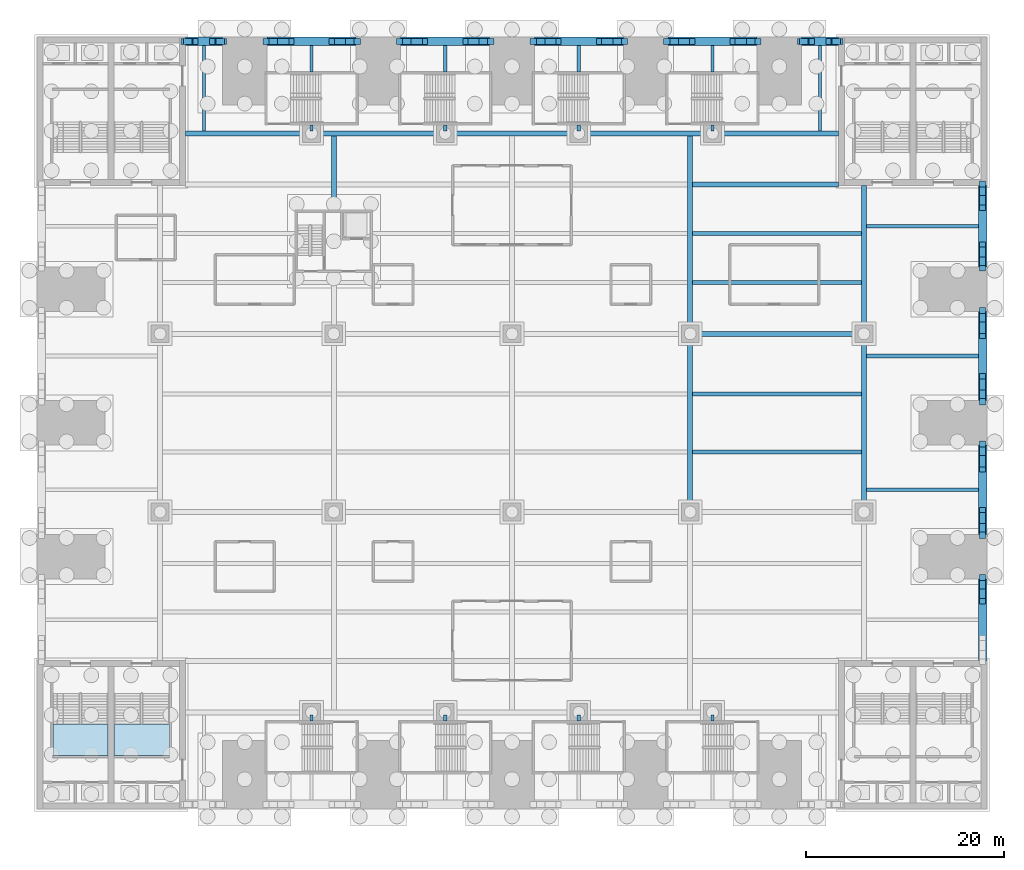
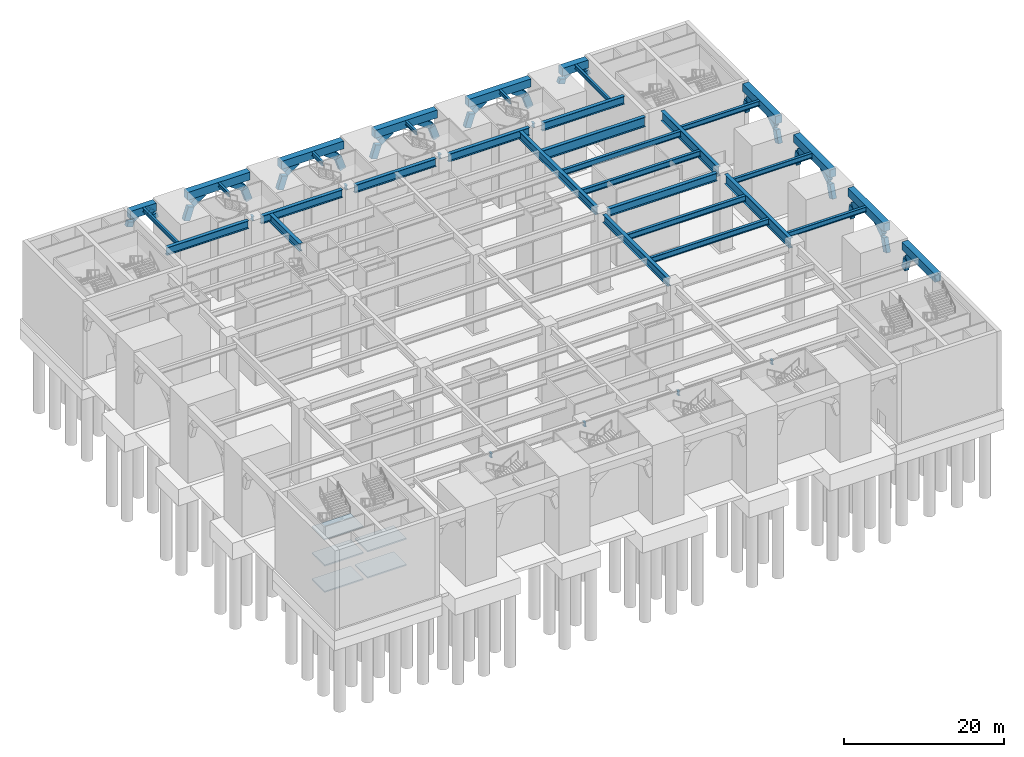
# One storey, part 4 of 34: 43 beams, 38 members, 5 slabs, 2 elements without a shape of their own.
"""IFC4 building model written with IfcOpenShell, lengths in metres."""

from ifc_helpers import new_model, si_unit, direction, frame, origin, origin_2d, place, context, subcontext, project, spatial, polyline, rectangle, i_section, outline, extrude, material, layer, layer_set, material_profile, profile_set, type_object, element, aggregate, save


model = new_model("IFC4")

# Units and contexts
model_context = context("Model", 3, precision=1e-05, world=origin(), true_north=direction((0.0, 1.0)))
body_context = subcontext(model_context, "Body", "Model", "MODEL_VIEW")
ifc_project = project(units=[si_unit("LENGTHUNIT", "METRE"), si_unit("AREAUNIT", "SQUARE_METRE"), si_unit("VOLUMEUNIT", "CUBIC_METRE"), si_unit("PLANEANGLEUNIT", "RADIAN"), si_unit("MASSUNIT", "GRAM", prefix="KILO")], contexts=[model_context])

# Site, building, storey
site_placement = place(None, origin())
site = spatial("IfcSite", under=ifc_project, at=site_placement, CompositionType="ELEMENT")
building_placement = place(site_placement, origin())
building = spatial("IfcBuilding", under=site, at=building_placement, Name="Corbelhall Arena Tower", CompositionType="ELEMENT")
storey_placement = place(building_placement, origin())
storey = spatial("IfcBuildingStorey", under=building, at=storey_placement, Name="L00", CompositionType="ELEMENT", Elevation=0.0)

# Beams
ifc_material_1 = material(Name="Steel ASTM A572 Gr50", Category="steel")
ifc_material_profile_1 = material_profile(ifc_material_1, i_section(OverallWidth=0.5, OverallDepth=1.5, WebThickness=0.028076171875, FlangeThickness=0.050048828125, at=origin_2d()))
ifc_profile_set_1 = profile_set([ifc_material_profile_1], Name="Steel ASTM A572 Gr50")
beam_type_1 = type_object("IfcBeamType", Name="AR-TRANSFER-GIRDER", PredefinedType="BEAM", material=ifc_profile_set_1)
beam_1_placement = place(storey_placement, frame((35.550048828125, -8.10009765625, 10.949951171875), z_axis=(0.0, 1.0, 0.0), x_axis=(-1.0, 0.0, 0.0)))
element("IfcBeam", 1, at=beam_1_placement, inside=storey, type_object=beam_type_1, Name="DECK GIRDER Y", PredefinedType="BEAM", context=body_context, shape_type="SweptSolid", body=[
    extrude(i_section(OverallWidth=0.5, OverallDepth=1.5, WebThickness=0.028076171875, FlangeThickness=0.050048828125, at=origin_2d()), origin(), (0.0, 0.0, 1.0), 16.2001953125),
])
beam_2_placement = place(storey_placement, frame((35.550048828125, 9.89990234375, 10.949951171875), z_axis=(0.0, 1.0, 0.0), x_axis=(-1.0, 0.0, 0.0)))
element("IfcBeam", 2, at=beam_2_placement, inside=storey, type_object=beam_type_1, Name="DECK GIRDER Y", PredefinedType="BEAM", context=body_context, shape_type="SweptSolid", body=[
    extrude(i_section(OverallWidth=0.5, OverallDepth=1.5, WebThickness=0.028076171875, FlangeThickness=0.050048828125, at=origin_2d()), origin(), (0.0, 0.0, 1.0), 14.10009765625),
])
beam_3_placement = place(storey_placement, frame((18.25, 24.0625, 10.949951171875), z_axis=(1.0, 0.0, 0.0), x_axis=(0.0, 1.0, 0.0)))
element("IfcBeam", 3, at=beam_3_placement, inside=storey, type_object=beam_type_1, Name="DECK BEAM", PredefinedType="BEAM", context=body_context, shape_type="SweptSolid", body=[
    extrude(i_section(OverallWidth=0.5, OverallDepth=1.5, WebThickness=0.028076171875, FlangeThickness=0.050048828125, at=origin_2d()), origin(), (0.0, 0.0, 1.0), 14.75),
])

# Members
ifc_material_2 = material(Name="Concrete C80/95", Category="concrete")
ifc_material_profile_2 = material_profile(ifc_material_2, rectangle(XDim=0.60009765625, YDim=0.89990234375, at=origin_2d()))
ifc_profile_set_2 = profile_set([ifc_material_profile_2], Name="Concrete C80/95")
member_type = type_object("IfcMemberType", Name="PO-ARCH-RIB", PredefinedType="MEMBER", material=ifc_profile_set_2)
member_1_placement = place(storey_placement, frame((-33.0, 38.550048828125, 9.2451171875), z_axis=(0.313142843289, 0.0, 0.94970603857), x_axis=(0.0, 1.0, 0.0)))
element("IfcMember", 4, at=member_1_placement, inside=storey, type_object=member_type, Name="ARCH N1 RIB A1", PredefinedType="MEMBER", context=body_context, shape_type="SweptSolid", body=[
    extrude(rectangle(XDim=0.60009765625, YDim=0.89990234375, at=origin_2d()), origin(), (0.0, 0.0, 1.0), 0.76025390625),
])
member_2_placement = place(storey_placement, frame((-32.59423828125, 38.550048828125, 10.193603515625), z_axis=(0.816629669741, 0.0, 0.577162007152), x_axis=(0.0, 1.0, 0.0)))
element("IfcMember", 5, at=member_2_placement, inside=storey, type_object=member_type, Name="ARCH N1 RIB A2", PredefinedType="MEMBER", context=body_context, shape_type="SweptSolid", body=[
    extrude(rectangle(XDim=0.60009765625, YDim=0.89990234375, at=origin_2d()), origin(), (0.0, 0.0, 1.0), 0.760498046875),
])
member_3_placement = place(storey_placement, frame((-29.488037109375, 38.550048828125, 9.967041015625), z_axis=(0.313142843289, 0.0, -0.94970603857), x_axis=(0.0, 1.0, 0.0)))
element("IfcMember", 6, at=member_3_placement, inside=storey, type_object=member_type, Name="ARCH N1 RIB B1", PredefinedType="MEMBER", context=body_context, shape_type="SweptSolid", body=[
    extrude(rectangle(XDim=0.60009765625, YDim=0.89990234375, at=origin_2d()), origin(), (0.0, 0.0, 1.0), 0.76025390625),
])
member_4_placement = place(storey_placement, frame((-30.27685546875, 38.550048828125, 10.632568359375), z_axis=(0.816629669741, 0.0, -0.577162007152), x_axis=(0.0, 1.0, 0.0)))
element("IfcMember", 7, at=member_4_placement, inside=storey, type_object=member_type, Name="ARCH N1 RIB B2", PredefinedType="MEMBER", context=body_context, shape_type="SweptSolid", body=[
    extrude(rectangle(XDim=0.60009765625, YDim=0.89990234375, at=origin_2d()), origin(), (0.0, 0.0, 1.0), 0.760498046875),
])
for number, where, z_axis, x_axis, name in (
    (8, (-24.75, 38.550048828125, 7.302490234375), (0.313127236353, 0.0, 0.949711184442), (0.0, 1.0, 0.0), "ARCH N2 RIB A1"),
    (9, (-23.94580078125, 38.550048828125, 9.45947265625), (0.816644846193, 0.0, 0.577140533307), (0.0, 1.0, 0.0), "ARCH N2 RIB A2"),
    (10, (-16.386474609375, 38.550048828125, 9.23291015625), (0.313127236353, 0.0, -0.949711184442), (0.0, 1.0, 0.0), "ARCH N2 RIB B1"),
    (11, (-18.214111328125, 38.550048828125, 10.632568359375), (0.816644846193, 0.0, -0.577140533307), (0.0, 1.0, 0.0), "ARCH N2 RIB B2"),
    (12, (-11.25, 38.550048828125, 7.302490234375), (0.313127236353, 0.0, 0.949711184442), (0.0, 1.0, 0.0), "ARCH N3 RIB A1"),
    (13, (-10.44580078125, 38.550048828125, 9.45947265625), (0.816644846193, 0.0, 0.577140533307), (0.0, 1.0, 0.0), "ARCH N3 RIB A2"),
    (14, (-2.886474609375, 38.550048828125, 9.23291015625), (0.313127236353, 0.0, -0.949711184442), (0.0, 1.0, 0.0), "ARCH N3 RIB B1"),
    (15, (-4.714111328125, 38.550048828125, 10.632568359375), (0.816644846193, 0.0, -0.577140533307), (0.0, 1.0, 0.0), "ARCH N3 RIB B2"),
    (16, (2.25, 38.550048828125, 7.302490234375), (0.313127236353, 0.0, 0.949711184442), (0.0, 1.0, 0.0), "ARCH N4 RIB A1"),
    (17, (3.05419921875, 38.550048828125, 9.45947265625), (0.816644846193, 0.0, 0.577140533307), (0.0, 1.0, 0.0), "ARCH N4 RIB A2"),
    (18, (10.613525390625, 38.550048828125, 9.23291015625), (0.313127236353, 0.0, -0.949711184442), (0.0, 1.0, 0.0), "ARCH N4 RIB B1"),
    (19, (8.785888671875, 38.550048828125, 10.632568359375), (0.816644846193, 0.0, -0.577140533307), (0.0, 1.0, 0.0), "ARCH N4 RIB B2"),
    (20, (15.75, 38.550048828125, 7.302490234375), (0.313127236353, 0.0, 0.949711184442), (0.0, 1.0, 0.0), "ARCH N5 RIB A1"),
    (21, (16.55419921875, 38.550048828125, 9.45947265625), (0.816644846193, 0.0, 0.577140533307), (0.0, 1.0, 0.0), "ARCH N5 RIB A2"),
    (22, (24.113525390625, 38.550048828125, 9.23291015625), (0.313127236353, 0.0, -0.949711184442), (0.0, 1.0, 0.0), "ARCH N5 RIB B1"),
    (23, (22.285888671875, 38.550048828125, 10.632568359375), (0.816644846193, 0.0, -0.577140533307), (0.0, 1.0, 0.0), "ARCH N5 RIB B2"),
):
    element("IfcMember", number, at=place(storey_placement, frame(where, z_axis=z_axis, x_axis=x_axis)), inside=storey, type_object=member_type, Name=name, PredefinedType="MEMBER", context=body_context, shape_type="SweptSolid", body=[
        extrude(rectangle(XDim=0.60009765625, YDim=0.89990234375, at=origin_2d()), origin(), (0.0, 0.0, 1.0), 2.03271484375),
    ])
member_5_placement = place(storey_placement, frame((29.25, 38.550048828125, 9.2451171875), z_axis=(0.313142843289, 0.0, 0.94970603857), x_axis=(0.0, 1.0, 0.0)))
element("IfcMember", 24, at=member_5_placement, inside=storey, type_object=member_type, Name="ARCH N6 RIB A1", PredefinedType="MEMBER", context=body_context, shape_type="SweptSolid", body=[
    extrude(rectangle(XDim=0.60009765625, YDim=0.89990234375, at=origin_2d()), origin(), (0.0, 0.0, 1.0), 0.76025390625),
])
member_6_placement = place(storey_placement, frame((29.65576171875, 38.550048828125, 10.193603515625), z_axis=(0.816629669741, 0.0, 0.577162007152), x_axis=(0.0, 1.0, 0.0)))
element("IfcMember", 25, at=member_6_placement, inside=storey, type_object=member_type, Name="ARCH N6 RIB A2", PredefinedType="MEMBER", context=body_context, shape_type="SweptSolid", body=[
    extrude(rectangle(XDim=0.60009765625, YDim=0.89990234375, at=origin_2d()), origin(), (0.0, 0.0, 1.0), 0.760498046875),
])
member_7_placement = place(storey_placement, frame((32.761962890625, 38.550048828125, 9.967041015625), z_axis=(0.313142843289, 0.0, -0.94970603857), x_axis=(0.0, 1.0, 0.0)))
element("IfcMember", 26, at=member_7_placement, inside=storey, type_object=member_type, Name="ARCH N6 RIB B1", PredefinedType="MEMBER", context=body_context, shape_type="SweptSolid", body=[
    extrude(rectangle(XDim=0.60009765625, YDim=0.89990234375, at=origin_2d()), origin(), (0.0, 0.0, 1.0), 0.76025390625),
])
member_8_placement = place(storey_placement, frame((31.97314453125, 38.550048828125, 10.632568359375), z_axis=(0.816629669741, 0.0, -0.577162007152), x_axis=(0.0, 1.0, 0.0)))
element("IfcMember", 27, at=member_8_placement, inside=storey, type_object=member_type, Name="ARCH N6 RIB B2", PredefinedType="MEMBER", context=body_context, shape_type="SweptSolid", body=[
    extrude(rectangle(XDim=0.60009765625, YDim=0.89990234375, at=origin_2d()), origin(), (0.0, 0.0, 1.0), 0.760498046875),
])
member_9_placement = place(storey_placement, frame((47.550048828125, -16.32958984375, 9.337646484375), z_axis=(0.0, 0.313178775789, -0.949694189935), x_axis=(-1.0, 0.0, 0.0)))
element("IfcMember", 28, at=member_9_placement, inside=storey, type_object=member_type, Name="ARCH E1 RIB B1", PredefinedType="MEMBER", context=body_context, shape_type="SweptSolid", body=[
    extrude(rectangle(XDim=0.60009765625, YDim=0.89990234375, at=origin_2d()), origin(), (0.0, 0.0, 1.0), 1.8505859375),
])
member_10_placement = place(storey_placement, frame((47.550048828125, -18.0087890625, 10.632568359375), z_axis=(0.0, 0.81666432318, -0.577112972688), x_axis=(-1.0, 0.0, 0.0)))
element("IfcMember", 29, at=member_10_placement, inside=storey, type_object=member_type, Name="ARCH E1 RIB B2", PredefinedType="MEMBER", context=body_context, shape_type="SweptSolid", body=[
    extrude(rectangle(XDim=0.60009765625, YDim=0.89990234375, at=origin_2d()), origin(), (0.0, 0.0, 1.0), 1.850830078125),
])
for number, where, z_axis, x_axis, name in (
    (30, (47.550048828125, -11.25, 7.302490234375), (0.0, 0.313127236353, 0.949711184442), (-1.0, 0.0, 0.0), "ARCH E2 RIB A1"),
    (31, (47.550048828125, -10.44580078125, 9.45947265625), (0.0, 0.816644846193, 0.577140533307), (-1.0, 0.0, 0.0), "ARCH E2 RIB A2"),
    (32, (47.550048828125, -2.886474609375, 9.23291015625), (0.0, 0.313127236353, -0.949711184442), (-1.0, 0.0, 0.0), "ARCH E2 RIB B1"),
    (33, (47.550048828125, -4.714111328125, 10.632568359375), (0.0, 0.816644846193, -0.577140533307), (-1.0, 0.0, 0.0), "ARCH E2 RIB B2"),
    (34, (47.550048828125, 2.25, 7.302490234375), (0.0, 0.313127236353, 0.949711184442), (-1.0, 0.0, 0.0), "ARCH E3 RIB A1"),
    (35, (47.550048828125, 3.05419921875, 9.45947265625), (0.0, 0.816644846193, 0.577140533307), (-1.0, 0.0, 0.0), "ARCH E3 RIB A2"),
    (36, (47.550048828125, 10.613525390625, 9.23291015625), (0.0, 0.313127236353, -0.949711184442), (-1.0, 0.0, 0.0), "ARCH E3 RIB B1"),
    (37, (47.550048828125, 8.785888671875, 10.632568359375), (0.0, 0.816644846193, -0.577140533307), (-1.0, 0.0, 0.0), "ARCH E3 RIB B2"),
):
    element("IfcMember", number, at=place(storey_placement, frame(where, z_axis=z_axis, x_axis=x_axis)), inside=storey, type_object=member_type, Name=name, PredefinedType="MEMBER", context=body_context, shape_type="SweptSolid", body=[
        extrude(rectangle(XDim=0.60009765625, YDim=0.89990234375, at=origin_2d()), origin(), (0.0, 0.0, 1.0), 2.03271484375),
    ])
member_11_placement = place(storey_placement, frame((47.550048828125, 15.75, 7.580078125), z_axis=(0.0, 0.313178775789, 0.949694189935), x_axis=(-1.0, 0.0, 0.0)))
element("IfcMember", 38, at=member_11_placement, inside=storey, type_object=member_type, Name="ARCH E4 RIB A1", PredefinedType="MEMBER", context=body_context, shape_type="SweptSolid", body=[
    extrude(rectangle(XDim=0.60009765625, YDim=0.89990234375, at=origin_2d()), origin(), (0.0, 0.0, 1.0), 1.8505859375),
])
member_12_placement = place(storey_placement, frame((47.550048828125, 16.497314453125, 9.564453125), z_axis=(0.0, 0.81666432318, 0.577112972688), x_axis=(-1.0, 0.0, 0.0)))
element("IfcMember", 39, at=member_12_placement, inside=storey, type_object=member_type, Name="ARCH E4 RIB A2", PredefinedType="MEMBER", context=body_context, shape_type="SweptSolid", body=[
    extrude(rectangle(XDim=0.60009765625, YDim=0.89990234375, at=origin_2d()), origin(), (0.0, 0.0, 1.0), 1.850830078125),
])
member_13_placement = place(storey_placement, frame((47.550048828125, 23.42041015625, 9.337646484375), z_axis=(0.0, 0.313178775789, -0.949694189935), x_axis=(-1.0, 0.0, 0.0)))
element("IfcMember", 40, at=member_13_placement, inside=storey, type_object=member_type, Name="ARCH E4 RIB B1", PredefinedType="MEMBER", context=body_context, shape_type="SweptSolid", body=[
    extrude(rectangle(XDim=0.60009765625, YDim=0.89990234375, at=origin_2d()), origin(), (0.0, 0.0, 1.0), 1.8505859375),
])
member_14_placement = place(storey_placement, frame((47.550048828125, 21.7412109375, 10.632568359375), z_axis=(0.0, 0.81666432318, -0.577112972688), x_axis=(-1.0, 0.0, 0.0)))
element("IfcMember", 41, at=member_14_placement, inside=storey, type_object=member_type, Name="ARCH E4 RIB B2", PredefinedType="MEMBER", context=body_context, shape_type="SweptSolid", body=[
    extrude(rectangle(XDim=0.60009765625, YDim=0.89990234375, at=origin_2d()), origin(), (0.0, 0.0, 1.0), 1.850830078125),
])

# Beams
ifc_material_3 = material(Name="Steel ASTM A992 Gr50", Category="steel")
ifc_material_profile_3 = material_profile(ifc_material_3, i_section(OverallWidth=0.323974609375, OverallDepth=0.611083984375, WebThickness=0.0126953125, FlangeThickness=0.01904296875, at=origin_2d()))
ifc_profile_set_3 = profile_set([ifc_material_profile_3], Name="Steel ASTM A992 Gr50")
beam_type_2 = type_object("IfcBeamType", Name="PO-BEAM-W24X104", PredefinedType="BEAM", material=ifc_profile_set_3)
beam_4_placement = place(storey_placement, frame((-31.125, 29.5, 11.39453125), z_axis=(0.0, 1.0, 0.0), x_axis=(-1.0, 0.0, 0.0)))
element("IfcBeam", 42, at=beam_4_placement, inside=storey, type_object=beam_type_2, Name="DECK EDGE BEAM", PredefinedType="BEAM", context=body_context, shape_type="SweptSolid", body=[
    extrude(i_section(OverallWidth=0.323974609375, OverallDepth=0.611083984375, WebThickness=0.0126953125, FlangeThickness=0.01904296875, at=origin_2d()), origin(), (0.0, 0.0, 1.0), 8.60009765625),
])
beam_5_placement = place(storey_placement, frame((-20.25, 29.5, 11.39453125), z_axis=(0.0, 1.0, 0.0), x_axis=(-1.0, 0.0, 0.0)))
element("IfcBeam", 43, at=beam_5_placement, inside=storey, type_object=beam_type_2, Name="DECK EDGE BEAM", PredefinedType="BEAM", context=body_context, shape_type="SweptSolid", body=[
    extrude(i_section(OverallWidth=0.323974609375, OverallDepth=0.611083984375, WebThickness=0.0126953125, FlangeThickness=0.01904296875, at=origin_2d()), origin(), (0.0, 0.0, 1.0), 0.60009765625),
])
beam_6_placement = place(storey_placement, frame((-20.25, 35.449951171875, 11.39453125), z_axis=(0.0, 1.0, 0.0), x_axis=(-1.0, 0.0, 0.0)))
element("IfcBeam", 44, at=beam_6_placement, inside=storey, type_object=beam_type_2, Name="DECK EDGE BEAM", PredefinedType="BEAM", context=body_context, shape_type="SweptSolid", body=[
    extrude(i_section(OverallWidth=0.323974609375, OverallDepth=0.611083984375, WebThickness=0.0126953125, FlangeThickness=0.01904296875, at=origin_2d()), origin(), (0.0, 0.0, 1.0), 2.650146484375),
])
beam_7_placement = place(storey_placement, frame((-6.75, 29.5, 11.39453125), z_axis=(0.0, 1.0, 0.0), x_axis=(-1.0, 0.0, 0.0)))
element("IfcBeam", 45, at=beam_7_placement, inside=storey, type_object=beam_type_2, Name="DECK EDGE BEAM", PredefinedType="BEAM", context=body_context, shape_type="SweptSolid", body=[
    extrude(i_section(OverallWidth=0.323974609375, OverallDepth=0.611083984375, WebThickness=0.0126953125, FlangeThickness=0.01904296875, at=origin_2d()), origin(), (0.0, 0.0, 1.0), 0.60009765625),
])
beam_8_placement = place(storey_placement, frame((-6.75, 35.449951171875, 11.39453125), z_axis=(0.0, 1.0, 0.0), x_axis=(-1.0, 0.0, 0.0)))
element("IfcBeam", 46, at=beam_8_placement, inside=storey, type_object=beam_type_2, Name="DECK EDGE BEAM", PredefinedType="BEAM", context=body_context, shape_type="SweptSolid", body=[
    extrude(i_section(OverallWidth=0.323974609375, OverallDepth=0.611083984375, WebThickness=0.0126953125, FlangeThickness=0.01904296875, at=origin_2d()), origin(), (0.0, 0.0, 1.0), 2.650146484375),
])
beam_9_placement = place(storey_placement, frame((6.75, 29.5, 11.39453125), z_axis=(0.0, 1.0, 0.0), x_axis=(-1.0, 0.0, 0.0)))
element("IfcBeam", 47, at=beam_9_placement, inside=storey, type_object=beam_type_2, Name="DECK EDGE BEAM", PredefinedType="BEAM", context=body_context, shape_type="SweptSolid", body=[
    extrude(i_section(OverallWidth=0.323974609375, OverallDepth=0.611083984375, WebThickness=0.0126953125, FlangeThickness=0.01904296875, at=origin_2d()), origin(), (0.0, 0.0, 1.0), 0.60009765625),
])
beam_10_placement = place(storey_placement, frame((6.75, 35.449951171875, 11.39453125), z_axis=(0.0, 1.0, 0.0), x_axis=(-1.0, 0.0, 0.0)))
element("IfcBeam", 48, at=beam_10_placement, inside=storey, type_object=beam_type_2, Name="DECK EDGE BEAM", PredefinedType="BEAM", context=body_context, shape_type="SweptSolid", body=[
    extrude(i_section(OverallWidth=0.323974609375, OverallDepth=0.611083984375, WebThickness=0.0126953125, FlangeThickness=0.01904296875, at=origin_2d()), origin(), (0.0, 0.0, 1.0), 2.650146484375),
])
beam_11_placement = place(storey_placement, frame((20.25, 29.5, 11.39453125), z_axis=(0.0, 1.0, 0.0), x_axis=(-1.0, 0.0, 0.0)))
element("IfcBeam", 49, at=beam_11_placement, inside=storey, type_object=beam_type_2, Name="DECK EDGE BEAM", PredefinedType="BEAM", context=body_context, shape_type="SweptSolid", body=[
    extrude(i_section(OverallWidth=0.323974609375, OverallDepth=0.611083984375, WebThickness=0.0126953125, FlangeThickness=0.01904296875, at=origin_2d()), origin(), (0.0, 0.0, 1.0), 0.60009765625),
])
beam_12_placement = place(storey_placement, frame((20.25, 35.449951171875, 11.39453125), z_axis=(0.0, 1.0, 0.0), x_axis=(-1.0, 0.0, 0.0)))
element("IfcBeam", 50, at=beam_12_placement, inside=storey, type_object=beam_type_2, Name="DECK EDGE BEAM", PredefinedType="BEAM", context=body_context, shape_type="SweptSolid", body=[
    extrude(i_section(OverallWidth=0.323974609375, OverallDepth=0.611083984375, WebThickness=0.0126953125, FlangeThickness=0.01904296875, at=origin_2d()), origin(), (0.0, 0.0, 1.0), 2.650146484375),
])
beam_13_placement = place(storey_placement, frame((31.125, 29.5, 11.39453125), z_axis=(0.0, 1.0, 0.0), x_axis=(-1.0, 0.0, 0.0)))
element("IfcBeam", 51, at=beam_13_placement, inside=storey, type_object=beam_type_2, Name="DECK EDGE BEAM", PredefinedType="BEAM", context=body_context, shape_type="SweptSolid", body=[
    extrude(i_section(OverallWidth=0.323974609375, OverallDepth=0.611083984375, WebThickness=0.0126953125, FlangeThickness=0.01904296875, at=origin_2d()), origin(), (0.0, 0.0, 1.0), 8.60009765625),
])
for number, where, z_axis, x_axis, name in (
    (52, (-20.25, -29.5, 11.39453125), (0.0, -1.0, 0.0), (1.0, 0.0, 0.0), "DECK EDGE BEAM"),
    (53, (-6.75, -29.5, 11.39453125), (0.0, -1.0, 0.0), (1.0, 0.0, 0.0), "DECK EDGE BEAM"),
    (54, (6.75, -29.5, 11.39453125), (0.0, -1.0, 0.0), (1.0, 0.0, 0.0), "DECK EDGE BEAM"),
    (55, (20.25, -29.5, 11.39453125), (0.0, -1.0, 0.0), (1.0, 0.0, 0.0), "DECK EDGE BEAM"),
):
    element("IfcBeam", number, at=place(storey_placement, frame(where, z_axis=z_axis, x_axis=x_axis)), inside=storey, type_object=beam_type_2, Name=name, PredefinedType="BEAM", context=body_context, shape_type="SweptSolid", body=[
        extrude(i_section(OverallWidth=0.323974609375, OverallDepth=0.611083984375, WebThickness=0.0126953125, FlangeThickness=0.01904296875, at=origin_2d()), origin(), (0.0, 0.0, 1.0), 0.60009765625),
    ])
ifc_material_profile_4 = material_profile(ifc_material_3, i_section(OverallWidth=0.381103515625, OverallDepth=0.77294921875, WebThickness=0.0166015625, FlangeThickness=0.027099609375, at=origin_2d()))
ifc_profile_set_4 = profile_set([ifc_material_profile_4], Name="Steel ASTM A992 Gr50")
beam_type_3 = type_object("IfcBeamType", Name="PO-BEAM-W30X173", PredefinedType="BEAM", material=ifc_profile_set_4)
for number, where, z_axis, x_axis, name in (
    (56, (35.800048828125, -6.75, 11.3134765625), (1.0, 0.0, 0.0), (0.0, 1.0, 0.0), "DECK EDGE BEAM"),
    (57, (35.800048828125, 6.75, 11.3134765625), (1.0, 0.0, 0.0), (0.0, 1.0, 0.0), "DECK EDGE BEAM"),
    (58, (35.800048828125, 19.875, 11.3134765625), (1.0, 0.0, 0.0), (0.0, 1.0, 0.0), "DECK EDGE BEAM"),
):
    element("IfcBeam", number, at=place(storey_placement, frame(where, z_axis=z_axis, x_axis=x_axis)), inside=storey, type_object=beam_type_3, Name=name, PredefinedType="BEAM", context=body_context, shape_type="SweptSolid", body=[
        extrude(i_section(OverallWidth=0.381103515625, OverallDepth=0.77294921875, WebThickness=0.0166015625, FlangeThickness=0.027099609375, at=origin_2d()), origin(), (0.0, 0.0, 1.0), 11.300048828125),
    ])
ifc_material_profile_5 = material_profile(ifc_material_3, i_section(OverallWidth=0.40087890625, OverallDepth=0.876953125, WebThickness=0.022216796875, FlangeThickness=0.039794921875, at=origin_2d()))
ifc_profile_set_5 = profile_set([ifc_material_profile_5], Name="Steel ASTM A992 Gr50")
beam_type_4 = type_object("IfcBeamType", Name="PO-BEAM-W33X263", PredefinedType="BEAM", material=ifc_profile_set_5)
for number, where, z_axis, x_axis, name in (
    (59, (18.25, -2.916748046875, 11.261474609375), (1.0, 0.0, 0.0), (0.0, 1.0, 0.0), "DECK BEAM"),
    (60, (18.25, 2.916748046875, 11.261474609375), (1.0, 0.0, 0.0), (0.0, 1.0, 0.0), "DECK BEAM"),
    (61, (18.25, 14.1875, 11.261474609375), (1.0, 0.0, 0.0), (0.0, 1.0, 0.0), "DECK BEAM"),
    (62, (18.25, 19.125, 11.261474609375), (1.0, 0.0, 0.0), (0.0, 1.0, 0.0), "DECK BEAM"),
):
    element("IfcBeam", number, at=place(storey_placement, frame(where, z_axis=z_axis, x_axis=x_axis)), inside=storey, type_object=beam_type_4, Name=name, PredefinedType="BEAM", context=body_context, shape_type="SweptSolid", body=[
        extrude(i_section(OverallWidth=0.40087890625, OverallDepth=0.876953125, WebThickness=0.022216796875, FlangeThickness=0.039794921875, at=origin_2d()), origin(), (0.0, 0.0, 1.0), 17.050048828125),
    ])
ifc_material_profile_6 = material_profile(ifc_material_1, i_section(OverallWidth=0.5, OverallDepth=1.199951171875, WebThickness=0.02490234375, FlangeThickness=0.044921875, at=origin_2d()))
ifc_profile_set_6 = profile_set([ifc_material_profile_6], Name="Steel ASTM A572 Gr50")
beam_type_5 = type_object("IfcBeamType", Name="PO-GIRDER-PG1200X500X25X45", PredefinedType="BEAM", material=ifc_profile_set_6)
beam_14_placement = place(storey_placement, frame((18.89990234375, 9.0, 11.10009765625), z_axis=(1.0, 0.0, 0.0), x_axis=(0.0, 1.0, 0.0)))
element("IfcBeam", 63, at=beam_14_placement, inside=storey, type_object=beam_type_5, Name="DECK GIRDER X", PredefinedType="BEAM", context=body_context, shape_type="SweptSolid", body=[
    extrude(i_section(OverallWidth=0.5, OverallDepth=1.199951171875, WebThickness=0.02490234375, FlangeThickness=0.044921875, at=origin_2d()), origin(), (0.0, 0.0, 1.0), 15.75),
])
beam_15_placement = place(storey_placement, frame((-33.0, 29.25, 11.10009765625), z_axis=(1.0, 0.0, 0.0), x_axis=(0.0, 1.0, 0.0)))
element("IfcBeam", 64, at=beam_15_placement, inside=storey, type_object=beam_type_5, Name="DECK GIRDER X", PredefinedType="BEAM", context=body_context, shape_type="SweptSolid", body=[
    extrude(i_section(OverallWidth=0.5, OverallDepth=1.199951171875, WebThickness=0.02490234375, FlangeThickness=0.044921875, at=origin_2d()), origin(), (0.0, 0.0, 1.0), 11.85009765625),
])
for number, where, z_axis, x_axis, name in (
    (65, (-19.35009765625, 29.25, 11.10009765625), (1.0, 0.0, 0.0), (0.0, 1.0, 0.0), "DECK GIRDER X"),
    (66, (-5.85009765625, 29.25, 11.10009765625), (1.0, 0.0, 0.0), (0.0, 1.0, 0.0), "DECK GIRDER X"),
    (67, (7.64990234375, 29.25, 11.10009765625), (1.0, 0.0, 0.0), (0.0, 1.0, 0.0), "DECK GIRDER X"),
):
    element("IfcBeam", number, at=place(storey_placement, frame(where, z_axis=z_axis, x_axis=x_axis)), inside=storey, type_object=beam_type_5, Name=name, PredefinedType="BEAM", context=body_context, shape_type="SweptSolid", body=[
        extrude(i_section(OverallWidth=0.5, OverallDepth=1.199951171875, WebThickness=0.02490234375, FlangeThickness=0.044921875, at=origin_2d()), origin(), (0.0, 0.0, 1.0), 11.7001953125),
    ])
beam_16_placement = place(storey_placement, frame((21.14990234375, 29.25, 11.10009765625), z_axis=(1.0, 0.0, 0.0), x_axis=(0.0, 1.0, 0.0)))
element("IfcBeam", 68, at=beam_16_placement, inside=storey, type_object=beam_type_5, Name="DECK GIRDER X", PredefinedType="BEAM", context=body_context, shape_type="SweptSolid", body=[
    extrude(i_section(OverallWidth=0.5, OverallDepth=1.199951171875, WebThickness=0.02490234375, FlangeThickness=0.044921875, at=origin_2d()), origin(), (0.0, 0.0, 1.0), 11.85009765625),
])
beam_17_placement = place(storey_placement, frame((-18.0, 21.5, 11.10009765625), z_axis=(0.0, 1.0, 0.0), x_axis=(-1.0, 0.0, 0.0)))
element("IfcBeam", 69, at=beam_17_placement, inside=storey, type_object=beam_type_5, Name="DECK GIRDER Y", PredefinedType="BEAM", context=body_context, shape_type="SweptSolid", body=[
    extrude(i_section(OverallWidth=0.5, OverallDepth=1.199951171875, WebThickness=0.02490234375, FlangeThickness=0.044921875, at=origin_2d()), origin(), (0.0, 0.0, 1.0), 7.5),
])
beam_18_placement = place(storey_placement, frame((18.0, -8.10009765625, 11.10009765625), z_axis=(0.0, 1.0, 0.0), x_axis=(-1.0, 0.0, 0.0)))
element("IfcBeam", 70, at=beam_18_placement, inside=storey, type_object=beam_type_5, Name="DECK GIRDER Y", PredefinedType="BEAM", context=body_context, shape_type="SweptSolid", body=[
    extrude(i_section(OverallWidth=0.5, OverallDepth=1.199951171875, WebThickness=0.02490234375, FlangeThickness=0.044921875, at=origin_2d()), origin(), (0.0, 0.0, 1.0), 16.2001953125),
])
beam_19_placement = place(storey_placement, frame((18.0, 9.89990234375, 11.10009765625), z_axis=(0.0, 1.0, 0.0), x_axis=(-1.0, 0.0, 0.0)))
element("IfcBeam", 71, at=beam_19_placement, inside=storey, type_object=beam_type_5, Name="DECK GIRDER Y", PredefinedType="BEAM", context=body_context, shape_type="SweptSolid", body=[
    extrude(i_section(OverallWidth=0.5, OverallDepth=1.199951171875, WebThickness=0.02490234375, FlangeThickness=0.044921875, at=origin_2d()), origin(), (0.0, 0.0, 1.0), 19.10009765625),
])
ifc_material_profile_7 = material_profile(ifc_material_2, rectangle(XDim=0.89990234375, YDim=1.199951171875, at=origin_2d()))
ifc_profile_set_7 = profile_set([ifc_material_profile_7], Name="Concrete C80/95")
beam_type_6 = type_object("IfcBeamType", Name="PO-RING-BEAM", PredefinedType="BEAM", material=ifc_profile_set_7)
beam_20_placement = place(storey_placement, frame((-33.0, 38.550048828125, 11.10009765625), z_axis=(1.0, 0.0, 0.0), x_axis=(0.0, 1.0, 0.0)))
element("IfcBeam", 72, at=beam_20_placement, inside=storey, type_object=beam_type_6, Name="RING GIRDER L01 N1", PredefinedType="BEAM", context=body_context, shape_type="SweptSolid", body=[
    extrude(rectangle(XDim=0.89990234375, YDim=1.199951171875, at=origin_2d()), origin(), (0.0, 0.0, 1.0), 3.75),
])
for number, where, z_axis, x_axis, name in (
    (73, (-24.75, 38.550048828125, 11.10009765625), (1.0, 0.0, 0.0), (0.0, 1.0, 0.0), "RING GIRDER L01 N2"),
    (74, (-11.25, 38.550048828125, 11.10009765625), (1.0, 0.0, 0.0), (0.0, 1.0, 0.0), "RING GIRDER L01 N3"),
    (75, (2.25, 38.550048828125, 11.10009765625), (1.0, 0.0, 0.0), (0.0, 1.0, 0.0), "RING GIRDER L01 N4"),
    (76, (15.75, 38.550048828125, 11.10009765625), (1.0, 0.0, 0.0), (0.0, 1.0, 0.0), "RING GIRDER L01 N5"),
):
    element("IfcBeam", number, at=place(storey_placement, frame(where, z_axis=z_axis, x_axis=x_axis)), inside=storey, type_object=beam_type_6, Name=name, PredefinedType="BEAM", context=body_context, shape_type="SweptSolid", body=[
        extrude(rectangle(XDim=0.89990234375, YDim=1.199951171875, at=origin_2d()), origin(), (0.0, 0.0, 1.0), 9.0),
    ])
beam_21_placement = place(storey_placement, frame((29.25, 38.550048828125, 11.10009765625), z_axis=(1.0, 0.0, 0.0), x_axis=(0.0, 1.0, 0.0)))
element("IfcBeam", 77, at=beam_21_placement, inside=storey, type_object=beam_type_6, Name="RING GIRDER L01 N6", PredefinedType="BEAM", context=body_context, shape_type="SweptSolid", body=[
    extrude(rectangle(XDim=0.89990234375, YDim=1.199951171875, at=origin_2d()), origin(), (0.0, 0.0, 1.0), 3.75),
])
beam_22_placement = place(storey_placement, frame((47.550048828125, -24.0, 11.10009765625), z_axis=(0.0, 1.0, 0.0), x_axis=(-1.0, 0.0, 0.0)))
element("IfcBeam", 78, at=beam_22_placement, inside=storey, type_object=beam_type_6, Name="RING GIRDER L01 E1", PredefinedType="BEAM", context=body_context, shape_type="SweptSolid", body=[
    extrude(rectangle(XDim=0.89990234375, YDim=1.199951171875, at=origin_2d()), origin(), (0.0, 0.0, 1.0), 8.25),
])
for number, where, z_axis, x_axis, name in (
    (79, (47.550048828125, -11.25, 11.10009765625), (0.0, 1.0, 0.0), (-1.0, 0.0, 0.0), "RING GIRDER L01 E2"),
    (80, (47.550048828125, 2.25, 11.10009765625), (0.0, 1.0, 0.0), (-1.0, 0.0, 0.0), "RING GIRDER L01 E3"),
):
    element("IfcBeam", number, at=place(storey_placement, frame(where, z_axis=z_axis, x_axis=x_axis)), inside=storey, type_object=beam_type_6, Name=name, PredefinedType="BEAM", context=body_context, shape_type="SweptSolid", body=[
        extrude(rectangle(XDim=0.89990234375, YDim=1.199951171875, at=origin_2d()), origin(), (0.0, 0.0, 1.0), 9.0),
    ])
beam_23_placement = place(storey_placement, frame((47.550048828125, 15.75, 11.10009765625), z_axis=(0.0, 1.0, 0.0), x_axis=(-1.0, 0.0, 0.0)))
element("IfcBeam", 81, at=beam_23_placement, inside=storey, type_object=beam_type_6, Name="RING GIRDER L01 E4", PredefinedType="BEAM", context=body_context, shape_type="SweptSolid", body=[
    extrude(rectangle(XDim=0.89990234375, YDim=1.199951171875, at=origin_2d()), origin(), (0.0, 0.0, 1.0), 8.25),
])

# Stair, slabs
ifc_material_4 = material(Name="Reinforced concrete C40/50", Category="concrete")
stair_type = type_object("IfcStairType", Name="AR-EXIT-STAIR", PredefinedType="HALF_TURN_STAIR", material=ifc_material_4)
stair_1_placement = place(storey_placement, origin())
stair_1 = element("IfcStair", 82, at=stair_1_placement, inside=storey, type_object=stair_type, Name="L00 exit stair AS7", PredefinedType="HALF_TURN_STAIR")
ifc_layer = layer(ifc_material_4, 0.199951171875)
ifc_layer_set = layer_set([ifc_layer], Name="AR-EXIT-LANDING")
slab_type = type_object("IfcSlabType", Name="AR-EXIT-LANDING", PredefinedType="LANDING", material=ifc_layer_set)
slab_1_placement = place(storey_placement, frame((0.0, 0.0, 1.800048828125)))
slab_1 = element("IfcSlab", 83, at=slab_1_placement, type_object=slab_type, Name="AS7 landing 1", PredefinedType="LANDING", context=body_context, shape_type="SweptSolid", body=[
    extrude(outline(polyline([(-40.199951171875, -30.39990234375), (-40.199951171875, -33.60009765625), (-34.610107421875, -33.60009765625), (-34.610107421875, -30.39990234375), (-40.199951171875, -30.39990234375)])), origin(), (0.0, 0.0, 1.0), 0.199951171875),
])
slab_2_placement = place(storey_placement, frame((0.0, 0.0, 5.800048828125)))
slab_2 = element("IfcSlab", 84, at=slab_2_placement, type_object=slab_type, Name="AS7 landing 3", PredefinedType="LANDING", context=body_context, shape_type="SweptSolid", body=[
    extrude(outline(polyline([(-40.199951171875, -30.39990234375), (-40.199951171875, -33.60009765625), (-34.610107421875, -33.60009765625), (-34.610107421875, -30.39990234375), (-40.199951171875, -30.39990234375)])), origin(), (0.0, 0.0, 1.0), 0.199951171875),
])
aggregate(stair_1, [slab_1, slab_2])

stair_2_placement = place(storey_placement, origin())
stair_2 = element("IfcStair", 85, at=stair_2_placement, inside=storey, type_object=stair_type, Name="L00 exit stair AS8", PredefinedType="HALF_TURN_STAIR")
slab_3_placement = place(storey_placement, frame((0.0, 0.0, 1.800048828125)))
slab_3 = element("IfcSlab", 86, at=slab_3_placement, type_object=slab_type, Name="AS8 landing 1", PredefinedType="LANDING", context=body_context, shape_type="SweptSolid", body=[
    extrude(outline(polyline([(-46.389892578125, -30.39990234375), (-46.389892578125, -33.60009765625), (-40.800048828125, -33.60009765625), (-40.800048828125, -30.39990234375), (-46.389892578125, -30.39990234375)])), origin(), (0.0, 0.0, 1.0), 0.199951171875),
])
slab_4_placement = place(storey_placement, frame((0.0, 0.0, 5.800048828125)))
slab_4 = element("IfcSlab", 87, at=slab_4_placement, type_object=slab_type, Name="AS8 landing 3", PredefinedType="LANDING", context=body_context, shape_type="SweptSolid", body=[
    extrude(outline(polyline([(-46.389892578125, -30.39990234375), (-46.389892578125, -33.60009765625), (-40.800048828125, -33.60009765625), (-40.800048828125, -30.39990234375), (-46.389892578125, -30.39990234375)])), origin(), (0.0, 0.0, 1.0), 0.199951171875),
])
slab_5_placement = place(storey_placement, frame((0.0, 0.0, 9.800048828125)))
slab_5 = element("IfcSlab", 88, at=slab_5_placement, type_object=slab_type, Name="AS8 landing 5", PredefinedType="LANDING", context=body_context, shape_type="SweptSolid", body=[
    extrude(outline(polyline([(-46.389892578125, -30.39990234375), (-46.389892578125, -33.60009765625), (-40.800048828125, -33.60009765625), (-40.800048828125, -30.39990234375), (-46.389892578125, -30.39990234375)])), origin(), (0.0, 0.0, 1.0), 0.199951171875),
])
aggregate(stair_2, [slab_3, slab_4, slab_5])

save(model, "model.ifc")
